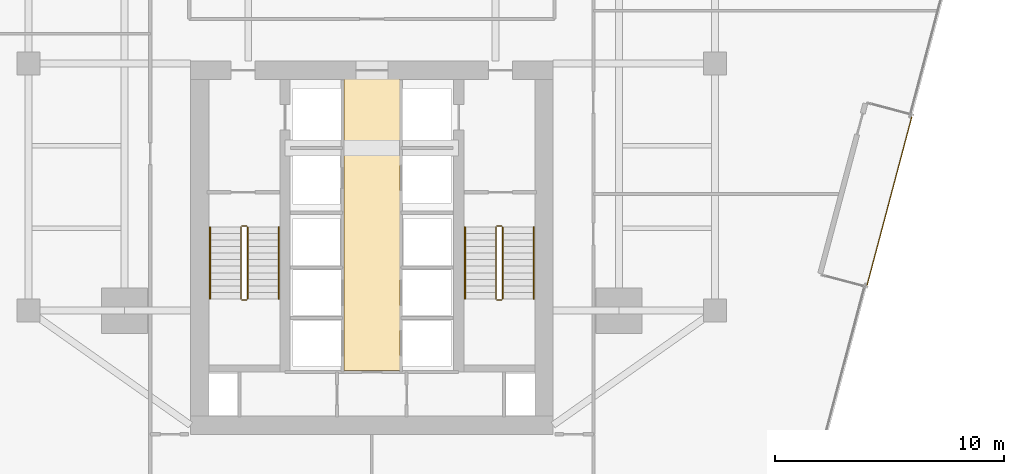
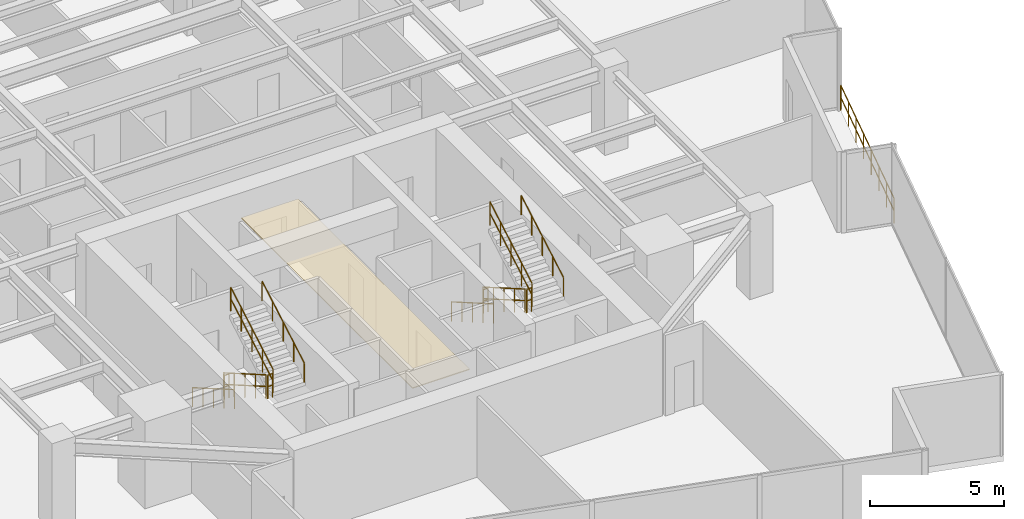
# One storey, part 26 of 27: 13 railings, 1 covering.
"""IFC4 building model written with IfcOpenShell, lengths in metres."""

import ifcopenshell
import ifcopenshell.guid

model = None  # the IFC model being written
_history = None  # IfcOwnerHistory: only IFC2X3 demands one
_inside = {}  # id of a spatial element -> (the spatial element, [elements in it])
_under = {}  # id of a project, library or spatial element -> (it, [spatial elements below it])
_declared = {}  # id of a project -> (the project, [libraries it declares])
_typed = {}  # id of a type object -> (the type object, [elements of that type])
_made_of = {}  # id of a material, layer set ... -> (it, [elements and type objects made of it])


def new_model(schema):
    """Start an empty IFC model of exactly this schema.

    Asked for "IFC4X3", IfcOpenShell would pick the latest addendum, in which some entities
    have other attributes; the version numbers below select the first issue.
    IFC2X3 requires an IfcOwnerHistory on every rooted entity: one is made here for all.
    """
    global model, _history
    if schema == "IFC4X3":
        model = ifcopenshell.file(schema_version=(4, 3, 0, 0))
    else:
        model = ifcopenshell.file(schema=schema)
    _inside.clear()
    _under.clear()
    _declared.clear()
    _typed.clear()
    _made_of.clear()
    _history = None
    if model.schema == "IFC2X3":
        org = make("IfcOrganization", Name="unknown")
        user = make(
            "IfcPersonAndOrganization",
            ThePerson=make("IfcPerson", FamilyName="unknown"),
            TheOrganization=org,
        )
        app = make(
            "IfcApplication",
            ApplicationDeveloper=org,
            Version="unknown",
            ApplicationFullName="unknown",
            ApplicationIdentifier="unknown",
        )
        _history = make(
            "IfcOwnerHistory",
            OwningUser=user,
            OwningApplication=app,
            ChangeAction="ADDED",
            CreationDate=0,
        )
    return model


def make(cls, **values):
    """One entity of the class cls with the attributes given. An attribute that is None is left unset."""
    return model.create_entity(
        cls, **{name: value for name, value in values.items() if value is not None}
    )


def rooted(cls, **values):
    """An entity with a GlobalId (a new one), such as an element, a storey or a relation."""
    return make(cls, GlobalId=ifcopenshell.guid.new(), OwnerHistory=_history, **values)


def si_unit(unit_type, name, prefix=None):
    """IfcSIUnit, for example si_unit("LENGTHUNIT", "METRE", prefix="MILLI")."""
    return make("IfcSIUnit", UnitType=unit_type, Prefix=prefix, Name=name)


def assignment(units):
    """IfcUnitAssignment: the units of a project."""
    return None if units is None else make("IfcUnitAssignment", Units=units)


def point(xyz):
    """IfcCartesianPoint."""
    return None if xyz is None else make("IfcCartesianPoint", Coordinates=xyz)


def direction(xyz):
    """IfcDirection."""
    return None if xyz is None else make("IfcDirection", DirectionRatios=xyz)


def frame(location, z_axis=None, x_axis=None):
    """IfcAxis2Placement3D, a coordinate frame: its origin and axes. An axis left out is left unset."""
    return make(
        "IfcAxis2Placement3D",
        Location=point(location),
        Axis=direction(z_axis),
        RefDirection=direction(x_axis),
    )


def frame_2d(location, x_axis=None):
    """IfcAxis2Placement2D, a coordinate frame in the plane: its origin and x axis."""
    return make(
        "IfcAxis2Placement2D", Location=point(location), RefDirection=direction(x_axis)
    )


def origin():
    """The frame at (0, 0, 0) with its axes left unset."""
    return frame((0.0, 0.0, 0.0))


def origin_2d():
    """The frame at (0, 0) in the plane with its x axis left unset."""
    return frame_2d((0.0, 0.0))


def place(relative_to, where):
    """IfcLocalPlacement: puts the frame where relative to a parent placement (None: the world)."""
    return make(
        "IfcLocalPlacement", PlacementRelTo=relative_to, RelativePlacement=where
    )


def context(
    kind, dimensions, precision=None, world=None, true_north=None, identifier=None
):
    """IfcGeometricRepresentationContext, for example the 3D "Model" context."""
    return make(
        "IfcGeometricRepresentationContext",
        ContextIdentifier=identifier,
        ContextType=kind,
        CoordinateSpaceDimension=dimensions,
        Precision=precision,
        WorldCoordinateSystem=world,
        TrueNorth=true_north,
    )


def subcontext(parent, identifier, kind, view, scale=None):
    """IfcGeometricRepresentationSubContext, for example "Body" below "Model"."""
    return make(
        "IfcGeometricRepresentationSubContext",
        ContextIdentifier=identifier,
        ContextType=kind,
        ParentContext=parent,
        TargetScale=scale,
        TargetView=view,
    )


def project(units=None, contexts=None):
    """IfcProject with its units and contexts."""
    return rooted(
        "IfcProject",
        Name="project",
        RepresentationContexts=contexts,
        UnitsInContext=assignment(units),
    )


def spatial(cls, under=None, at=None, **own):
    """A site, building, storey or space (cls), placed at a placement, below another one or the project."""
    s = rooted(cls, ObjectPlacement=at, **own)
    if under is not None:
        _under.setdefault(under.id(), (under, []))[1].append(s)
    return s


def polyline(points):
    """IfcPolyline through the points."""
    return make("IfcPolyline", Points=[point(p) for p in points])


def profile(cls, at=None, kind="AREA", **sizes):
    """A parametric profile (cls). Its sizes go by their IFC names, for example OverallWidth=200.0."""
    return make(cls, ProfileType=kind, Position=at, **sizes)


def circle(**sizes):
    """IfcCircleProfileDef."""
    return profile("IfcCircleProfileDef", **sizes)


def outline(outer, holes=None, kind="AREA"):
    """IfcArbitraryClosedProfileDef: a profile drawn as a closed curve; with holes, ...WithVoids."""
    if holes is None:
        return make("IfcArbitraryClosedProfileDef", ProfileType=kind, OuterCurve=outer)
    return make(
        "IfcArbitraryProfileDefWithVoids",
        ProfileType=kind,
        OuterCurve=outer,
        InnerCurves=holes,
    )


def extrude(swept, where, along, depth):
    """IfcExtrudedAreaSolid: the profile swept, set in the frame where, extruded along a direction by depth."""
    return make(
        "IfcExtrudedAreaSolid",
        SweptArea=swept,
        Position=where,
        ExtrudedDirection=direction(along),
        Depth=depth,
    )


def shape(context_of_items, identifier, shape_type, items):
    """IfcShapeRepresentation: the items that make up one representation, for example the "Body"."""
    return make(
        "IfcShapeRepresentation",
        ContextOfItems=context_of_items,
        RepresentationIdentifier=identifier,
        RepresentationType=shape_type,
        Items=items,
    )


def material(Name=None, Category=None):
    """IfcMaterial."""
    return make("IfcMaterial", Name=Name, Category=Category)


def layer(
    of_material, thickness, ventilated=None, Name=None, Category=None, Priority=None
):
    """IfcMaterialLayer: one layer of a wall or slab, of a material (None: an air gap)."""
    return make(
        "IfcMaterialLayer",
        Material=of_material,
        LayerThickness=thickness,
        IsVentilated=ventilated,
        Name=Name,
        Category=Category,
        Priority=Priority,
    )


def layer_set(layers, Name=None):
    """IfcMaterialLayerSet."""
    return make("IfcMaterialLayerSet", MaterialLayers=layers, LayerSetName=Name)


def made_of(thing, what):
    """Note that an element or type object is made of a material, layer set ...; save() writes the relation."""
    if what is not None:
        _made_of.setdefault(what.id(), (what, []))[1].append(thing)
    return thing


def type_object(cls, material=None, **own):
    """A type object (cls), such as IfcWallType, which elements share."""
    return made_of(rooted(cls, **own), material)


def element(
    cls,
    number,
    at=None,
    inside=None,
    cuts=None,
    type_object=None,
    material=None,
    context=None,
    identifier="Body",
    shape_type=None,
    held_by="IfcProductDefinitionShape",
    body=None,
    shapes=None,
    **own,
):
    """One element of the class cls, such as IfcWall. Its Tag is "e" and its number.

    at: its placement. inside: the storey or other place that contains it. cuts: it is an
    opening in that element (IfcRelVoidsElement). A single representation is given by context,
    identifier, shape_type and body (its items); several are given by shapes. held_by: the class
    of the entity that holds the representations. save() writes the other relations.
    """
    e = rooted(cls, Tag="e%d" % number, ObjectPlacement=at, **own)
    if body is not None:
        shapes = [shape(context, identifier, shape_type, body)]
    if shapes is not None:
        e.Representation = make(held_by, Representations=shapes)
    if inside is not None:
        _inside.setdefault(inside.id(), (inside, []))[1].append(e)
    if cuts is not None:
        rooted(
            "IfcRelVoidsElement", RelatingBuildingElement=cuts, RelatedOpeningElement=e
        )
    if type_object is not None:
        _typed.setdefault(type_object.id(), (type_object, []))[1].append(e)
    return made_of(e, material)


def aggregate(whole, parts):
    """IfcRelAggregates: a whole, such as a stair, and the parts it consists of."""
    return rooted("IfcRelAggregates", RelatingObject=whole, RelatedObjects=parts)


def save(model, path):
    """Write the relations noted so far, then the file.

    IfcRelAggregates (storeys below a building ...), IfcRelContainedInSpatialStructure (elements
    in a storey), IfcRelDefinesByType, IfcRelAssociatesMaterial and IfcRelDeclares: one each for
    every whole, place, type object, material and project.
    """
    for whole, parts in _under.values():
        aggregate(whole, parts)
    for where, things in _inside.values():
        rooted(
            "IfcRelContainedInSpatialStructure",
            RelatedElements=things,
            RelatingStructure=where,
        )
    for kind, things in _typed.values():
        rooted("IfcRelDefinesByType", RelatedObjects=things, RelatingType=kind)
    for what, things in _made_of.values():
        rooted("IfcRelAssociatesMaterial", RelatedObjects=things, RelatingMaterial=what)
    for by, libraries in _declared.values():
        rooted("IfcRelDeclares", RelatingContext=by, RelatedDefinitions=libraries)
    model.write(path)


model = new_model("IFC4")

# Units and contexts
model_context = context("Model", 3, precision=1e-05, world=origin(), true_north=direction((0.0, 1.0)))
body_context = subcontext(model_context, "Body", "Model", "MODEL_VIEW")
ifc_project = project(units=[si_unit("LENGTHUNIT", "METRE"), si_unit("AREAUNIT", "SQUARE_METRE"), si_unit("VOLUMEUNIT", "CUBIC_METRE"), si_unit("PLANEANGLEUNIT", "RADIAN"), si_unit("MASSUNIT", "GRAM", prefix="KILO")], contexts=[model_context])

# Site, building, storey
site_placement = place(None, origin())
site = spatial("IfcSite", under=ifc_project, at=site_placement, CompositionType="ELEMENT")
building_placement = place(site_placement, origin())
building = spatial("IfcBuilding", under=site, at=building_placement, Name="Krantzveldt Concourse Tower", CompositionType="ELEMENT")
storey_placement = place(building_placement, frame((0.0, 0.0, 105.85009765625)))
storey = spatial("IfcBuildingStorey", under=building, at=storey_placement, Name="L25", CompositionType="ELEMENT", Elevation=105.85009765625)

# Covering
ifc_material_1 = material(Name="Perforated acoustic mineral-fibre ceiling tile", Category="ceiling")
ifc_layer_1 = layer(ifc_material_1, 0.0400390625, Name="Perforated acoustic mineral-fibre ceiling tile", Category="ceiling")
ifc_layer_set_1 = layer_set([ifc_layer_1], Name="Perforated acoustic mineral-fibre ceiling tile (COV-CEIL-ACOUSTIC)")
covering_type = type_object("IfcCoveringType", Name="COV-CEIL-ACOUSTIC", PredefinedType="CEILING", material=ifc_layer_set_1)
covering_placement = place(storey_placement, frame((0.0, 0.0, 2.75)))
element("IfcCovering", 1, at=covering_placement, inside=storey, type_object=covering_type, Name="CLG-L25-LLB", PredefinedType="CEILING", context=body_context, shape_type="SweptSolid", body=[
    extrude(outline(polyline([(37.22509765625, 13.27490234375), (34.77490234375, 13.27490234375), (34.77490234375, 26.044921875), (37.22509765625, 26.044921875), (37.22509765625, 13.27490234375)])), origin(), (0.0, 0.0, 1.0), 0.039794921875),
])

# Railings
ifc_material_2 = material(Name="Stainless steel 316L", Category="steel")
ifc_layer_2 = layer(ifc_material_2, 0.080078125, Name="Stainless steel 316L", Category="steel")
ifc_layer_set_2 = layer_set([ifc_layer_2], Name="Stainless steel 316L (RL-BALUSTRADE-1150)")
railing_type_1 = type_object("IfcRailingType", Name="RL-BALUSTRADE-1150", PredefinedType="BALUSTRADE", material=ifc_layer_set_2)
railing_1_placement = place(storey_placement, frame((57.640380859375, 17.020263671875, 0.0)))
element("IfcRailing", 2, at=railing_1_placement, inside=storey, type_object=railing_type_1, Name="GD-L25-CTER-01", PredefinedType="BALUSTRADE", context=body_context, shape_type="SweptSolid", body=[
    extrude(circle(Radius=0.02392578125, at=origin_2d()), frame((0.0, 0.0, 1.1259765625), z_axis=(0.256696825247, 0.966491976122, 0.0), x_axis=(-0.966491976122, 0.256696825247, 0.0)), (0.0, 0.0, 1.0), 7.60009765625),
    extrude(circle(Radius=0.02392578125, at=origin_2d()), frame((0.0, 0.0, 0.574951171875), z_axis=(0.256696825247, 0.966491976122, 0.0), x_axis=(-0.966491976122, 0.256696825247, 0.0)), (0.0, 0.0, 1.0), 7.60009765625),
    extrude(circle(Radius=0.02099609375, at=origin_2d()), origin(), (0.0, 0.0, 1.0), 1.101806640625),
    extrude(circle(Radius=0.02099609375, at=origin_2d()), frame((0.27880859375, 1.04931640625, 0.0)), (0.0, 0.0, 1.0), 1.101806640625),
    extrude(circle(Radius=0.02099609375, at=origin_2d()), frame((0.557373046875, 2.0986328125, 0.0)), (0.0, 0.0, 1.0), 1.101806640625),
    extrude(circle(Radius=0.02099609375, at=origin_2d()), frame((0.836181640625, 3.14794921875, 0.0)), (0.0, 0.0, 1.0), 1.101806640625),
    extrude(circle(Radius=0.02099609375, at=origin_2d()), frame((1.11474609375, 4.197509765625, 0.0)), (0.0, 0.0, 1.0), 1.101806640625),
    extrude(circle(Radius=0.02099609375, at=origin_2d()), frame((1.3935546875, 5.246826171875, 0.0)), (0.0, 0.0, 1.0), 1.101806640625),
    extrude(circle(Radius=0.02099609375, at=origin_2d()), frame((1.672119140625, 6.296142578125, 0.0)), (0.0, 0.0, 1.0), 1.101806640625),
    extrude(circle(Radius=0.02099609375, at=origin_2d()), frame((1.950927734375, 7.345458984375, 0.0)), (0.0, 0.0, 1.0), 1.101806640625),
])
ifc_layer_3 = layer(ifc_material_2, 0.06005859375, Name="Stainless steel 316L", Category="steel")
ifc_layer_set_3 = layer_set([ifc_layer_3], Name="Stainless steel 316L (RL-GUARD-1120)")
railing_type_2 = type_object("IfcRailingType", Name="RL-GUARD-1120", PredefinedType="GUARDRAIL", material=ifc_layer_set_3)
railing_2_placement = place(storey_placement, frame((30.280029296875, 19.550048828125, 0.16455078125)))
element("IfcRailing", 3, at=railing_2_placement, inside=storey, type_object=railing_type_2, Name="L25 ST-1 stair guard 1", PredefinedType="GUARDRAIL", context=body_context, shape_type="SweptSolid", body=[
    extrude(circle(Radius=0.02392578125, at=origin_2d()), frame((0.0, 0.0, 1.076171875), z_axis=(0.0, -0.865989039225, 0.500062979975), x_axis=(1.0, 0.0, 0.0)), (0.0, 0.0, 1.0), 3.6201171875),
    extrude(circle(Radius=0.02392578125, at=origin_2d()), frame((0.0, 0.0, 0.550048828125), z_axis=(0.0, -0.865989039225, 0.500062979975), x_axis=(1.0, 0.0, 0.0)), (0.0, 0.0, 1.0), 3.6201171875),
    extrude(circle(Radius=0.02099609375, at=origin_2d()), origin(), (0.0, 0.0, 1.0), 1.052001953125),
    extrude(circle(Radius=0.02099609375, at=origin_2d()), frame((0.0, -0.78369140625, 0.45263671875)), (0.0, 0.0, 1.0), 1.052001953125),
    extrude(circle(Radius=0.02099609375, at=origin_2d()), frame((0.0, -1.5673828125, 0.9052734375)), (0.0, 0.0, 1.0), 1.052001953125),
    extrude(circle(Radius=0.02099609375, at=origin_2d()), frame((0.0, -2.351318359375, 1.357666015625)), (0.0, 0.0, 1.0), 1.052001953125),
    extrude(circle(Radius=0.02099609375, at=origin_2d()), frame((0.0, -3.135009765625, 1.810302734375)), (0.0, 0.0, 1.0), 1.052001953125),
])
railing_3_placement = place(storey_placement, frame((30.330078125, 16.364990234375, 1.974853515625)))
element("IfcRailing", 4, at=railing_3_placement, inside=storey, type_object=railing_type_2, Name="L25 ST-1 stair guard 2", PredefinedType="GUARDRAIL", context=body_context, shape_type="SweptSolid", body=[
    extrude(circle(Radius=0.02392578125, at=origin_2d()), frame((0.0, 0.0, 1.076171875), z_axis=(1.0, 0.0, 0.0), x_axis=(0.0, 1.0, 0.0)), (0.0, 0.0, 1.0), 0.199951171875),
    extrude(circle(Radius=0.02392578125, at=origin_2d()), frame((0.0, 0.0, 0.550048828125), z_axis=(1.0, 0.0, 0.0), x_axis=(0.0, 1.0, 0.0)), (0.0, 0.0, 1.0), 0.199951171875),
    extrude(circle(Radius=0.02099609375, at=origin_2d()), origin(), (0.0, 0.0, 1.0), 1.052001953125),
    extrude(circle(Radius=0.02099609375, at=origin_2d()), frame((0.199951171875, 0.0, 0.0)), (0.0, 0.0, 1.0), 1.052001953125),
])
railing_4_placement = place(storey_placement, frame((30.580078125, 16.4150390625, 2.139404296875)))
element("IfcRailing", 5, at=railing_4_placement, inside=storey, type_object=railing_type_2, Name="L25 ST-1 stair guard 3", PredefinedType="GUARDRAIL", context=body_context, shape_type="SweptSolid", body=[
    extrude(circle(Radius=0.02392578125, at=origin_2d()), frame((0.0, 0.0, 1.076171875), z_axis=(0.0, 0.865959834175, 0.500113552702), x_axis=(-1.0, 0.0, 0.0)), (0.0, 0.0, 1.0), 3.620361328125),
    extrude(circle(Radius=0.02392578125, at=origin_2d()), frame((0.0, 0.0, 0.550048828125), z_axis=(0.0, 0.865959834175, 0.500113552702), x_axis=(-1.0, 0.0, 0.0)), (0.0, 0.0, 1.0), 3.620361328125),
    extrude(circle(Radius=0.02099609375, at=origin_2d()), origin(), (0.0, 0.0, 1.0), 1.052001953125),
    extrude(circle(Radius=0.02099609375, at=origin_2d()), frame((0.0, 0.78369140625, 0.45263671875)), (0.0, 0.0, 1.0), 1.052001953125),
    extrude(circle(Radius=0.02099609375, at=origin_2d()), frame((0.0, 1.5673828125, 0.9052734375)), (0.0, 0.0, 1.0), 1.052001953125),
    extrude(circle(Radius=0.02099609375, at=origin_2d()), frame((0.0, 2.351318359375, 1.35791015625)), (0.0, 0.0, 1.0), 1.052001953125),
    extrude(circle(Radius=0.02099609375, at=origin_2d()), frame((0.0, 3.135009765625, 1.810546875)), (0.0, 0.0, 1.0), 1.052001953125),
])
railing_5_placement = place(storey_placement, frame((30.330078125, 19.60009765625, 0.0)))
element("IfcRailing", 6, at=railing_5_placement, inside=storey, type_object=railing_type_2, Name="L25 ST-1 stair guard 4", PredefinedType="GUARDRAIL", context=body_context, shape_type="SweptSolid", body=[
    extrude(circle(Radius=0.02392578125, at=origin_2d()), frame((0.0, 0.0, 1.076171875), z_axis=(1.0, 0.0, 0.0), x_axis=(0.0, 1.0, 0.0)), (0.0, 0.0, 1.0), 0.199951171875),
    extrude(circle(Radius=0.02392578125, at=origin_2d()), frame((0.0, 0.0, 0.550048828125), z_axis=(1.0, 0.0, 0.0), x_axis=(0.0, 1.0, 0.0)), (0.0, 0.0, 1.0), 0.199951171875),
    extrude(circle(Radius=0.02099609375, at=origin_2d()), origin(), (0.0, 0.0, 1.0), 1.052001953125),
    extrude(circle(Radius=0.02099609375, at=origin_2d()), frame((0.199951171875, 0.0, 0.0)), (0.0, 0.0, 1.0), 1.052001953125),
])
railing_6_placement = place(storey_placement, frame((41.419921875, 19.550048828125, 0.16455078125)))
element("IfcRailing", 7, at=railing_6_placement, inside=storey, type_object=railing_type_2, Name="L25 ST-2 stair guard 1", PredefinedType="GUARDRAIL", context=body_context, shape_type="SweptSolid", body=[
    extrude(circle(Radius=0.02392578125, at=origin_2d()), frame((0.0, 0.0, 1.076171875), z_axis=(0.0, -0.865989039225, 0.500062979975), x_axis=(1.0, 0.0, 0.0)), (0.0, 0.0, 1.0), 3.6201171875),
    extrude(circle(Radius=0.02392578125, at=origin_2d()), frame((0.0, 0.0, 0.550048828125), z_axis=(0.0, -0.865989039225, 0.500062979975), x_axis=(1.0, 0.0, 0.0)), (0.0, 0.0, 1.0), 3.6201171875),
    extrude(circle(Radius=0.02099609375, at=origin_2d()), origin(), (0.0, 0.0, 1.0), 1.052001953125),
    extrude(circle(Radius=0.02099609375, at=origin_2d()), frame((0.0, -0.78369140625, 0.45263671875)), (0.0, 0.0, 1.0), 1.052001953125),
    extrude(circle(Radius=0.02099609375, at=origin_2d()), frame((0.0, -1.5673828125, 0.9052734375)), (0.0, 0.0, 1.0), 1.052001953125),
    extrude(circle(Radius=0.02099609375, at=origin_2d()), frame((0.0, -2.351318359375, 1.357666015625)), (0.0, 0.0, 1.0), 1.052001953125),
    extrude(circle(Radius=0.02099609375, at=origin_2d()), frame((0.0, -3.135009765625, 1.810302734375)), (0.0, 0.0, 1.0), 1.052001953125),
])
railing_7_placement = place(storey_placement, frame((41.469970703125, 16.364990234375, 1.974853515625)))
element("IfcRailing", 8, at=railing_7_placement, inside=storey, type_object=railing_type_2, Name="L25 ST-2 stair guard 2", PredefinedType="GUARDRAIL", context=body_context, shape_type="SweptSolid", body=[
    extrude(circle(Radius=0.02392578125, at=origin_2d()), frame((0.0, 0.0, 1.076171875), z_axis=(1.0, 0.0, 0.0), x_axis=(0.0, 1.0, 0.0)), (0.0, 0.0, 1.0), 0.199951171875),
    extrude(circle(Radius=0.02392578125, at=origin_2d()), frame((0.0, 0.0, 0.550048828125), z_axis=(1.0, 0.0, 0.0), x_axis=(0.0, 1.0, 0.0)), (0.0, 0.0, 1.0), 0.199951171875),
    extrude(circle(Radius=0.02099609375, at=origin_2d()), origin(), (0.0, 0.0, 1.0), 1.052001953125),
    extrude(circle(Radius=0.02099609375, at=origin_2d()), frame((0.199951171875, 0.0, 0.0)), (0.0, 0.0, 1.0), 1.052001953125),
])
railing_8_placement = place(storey_placement, frame((41.719970703125, 16.4150390625, 2.139404296875)))
element("IfcRailing", 9, at=railing_8_placement, inside=storey, type_object=railing_type_2, Name="L25 ST-2 stair guard 3", PredefinedType="GUARDRAIL", context=body_context, shape_type="SweptSolid", body=[
    extrude(circle(Radius=0.02392578125, at=origin_2d()), frame((0.0, 0.0, 1.076171875), z_axis=(0.0, 0.865959834175, 0.500113552702), x_axis=(-1.0, 0.0, 0.0)), (0.0, 0.0, 1.0), 3.620361328125),
    extrude(circle(Radius=0.02392578125, at=origin_2d()), frame((0.0, 0.0, 0.550048828125), z_axis=(0.0, 0.865959834175, 0.500113552702), x_axis=(-1.0, 0.0, 0.0)), (0.0, 0.0, 1.0), 3.620361328125),
    extrude(circle(Radius=0.02099609375, at=origin_2d()), origin(), (0.0, 0.0, 1.0), 1.052001953125),
    extrude(circle(Radius=0.02099609375, at=origin_2d()), frame((0.0, 0.78369140625, 0.45263671875)), (0.0, 0.0, 1.0), 1.052001953125),
    extrude(circle(Radius=0.02099609375, at=origin_2d()), frame((0.0, 1.5673828125, 0.9052734375)), (0.0, 0.0, 1.0), 1.052001953125),
    extrude(circle(Radius=0.02099609375, at=origin_2d()), frame((0.0, 2.351318359375, 1.35791015625)), (0.0, 0.0, 1.0), 1.052001953125),
    extrude(circle(Radius=0.02099609375, at=origin_2d()), frame((0.0, 3.135009765625, 1.810546875)), (0.0, 0.0, 1.0), 1.052001953125),
])
railing_9_placement = place(storey_placement, frame((41.469970703125, 19.60009765625, 0.0)))
element("IfcRailing", 10, at=railing_9_placement, inside=storey, type_object=railing_type_2, Name="L25 ST-2 stair guard 4", PredefinedType="GUARDRAIL", context=body_context, shape_type="SweptSolid", body=[
    extrude(circle(Radius=0.02392578125, at=origin_2d()), frame((0.0, 0.0, 1.076171875), z_axis=(1.0, 0.0, 0.0), x_axis=(0.0, 1.0, 0.0)), (0.0, 0.0, 1.0), 0.199951171875),
    extrude(circle(Radius=0.02392578125, at=origin_2d()), frame((0.0, 0.0, 0.550048828125), z_axis=(1.0, 0.0, 0.0), x_axis=(0.0, 1.0, 0.0)), (0.0, 0.0, 1.0), 0.199951171875),
    extrude(circle(Radius=0.02099609375, at=origin_2d()), origin(), (0.0, 0.0, 1.0), 1.052001953125),
    extrude(circle(Radius=0.02099609375, at=origin_2d()), frame((0.199951171875, 0.0, 0.0)), (0.0, 0.0, 1.0), 1.052001953125),
])
ifc_layer_4 = layer(ifc_material_2, 0.050048828125, Name="Stainless steel 316L", Category="steel")
ifc_layer_set_4 = layer_set([ifc_layer_4], Name="Stainless steel 316L (RL-HANDRAIL-920)")
railing_type_3 = type_object("IfcRailingType", Name="RL-HANDRAIL-920", PredefinedType="HANDRAIL", material=ifc_layer_set_4)
railing_10_placement = place(storey_placement, frame((28.929931640625, 19.550048828125, 0.16455078125)))
element("IfcRailing", 11, at=railing_10_placement, inside=storey, type_object=railing_type_3, Name="L25 ST-1 stair handrail 1", PredefinedType="HANDRAIL", context=body_context, shape_type="SweptSolid", body=[
    extrude(circle(Radius=0.02392578125, at=origin_2d()), frame((0.0, 0.0, 0.8759765625), z_axis=(0.0, -0.865989039225, 0.500062979975), x_axis=(1.0, 0.0, 0.0)), (0.0, 0.0, 1.0), 3.6201171875),
    extrude(circle(Radius=0.02099609375, at=origin_2d()), origin(), (0.0, 0.0, 1.0), 0.851806640625),
    extrude(circle(Radius=0.02099609375, at=origin_2d()), frame((0.0, -0.78369140625, 0.45263671875)), (0.0, 0.0, 1.0), 0.851806640625),
    extrude(circle(Radius=0.02099609375, at=origin_2d()), frame((0.0, -1.5673828125, 0.9052734375)), (0.0, 0.0, 1.0), 0.851806640625),
    extrude(circle(Radius=0.02099609375, at=origin_2d()), frame((0.0, -2.351318359375, 1.357666015625)), (0.0, 0.0, 1.0), 0.851806640625),
    extrude(circle(Radius=0.02099609375, at=origin_2d()), frame((0.0, -3.135009765625, 1.810302734375)), (0.0, 0.0, 1.0), 0.851806640625),
])
railing_11_placement = place(storey_placement, frame((31.929931640625, 16.4150390625, 2.139404296875)))
element("IfcRailing", 12, at=railing_11_placement, inside=storey, type_object=railing_type_3, Name="L25 ST-1 stair handrail 2", PredefinedType="HANDRAIL", context=body_context, shape_type="SweptSolid", body=[
    extrude(circle(Radius=0.02392578125, at=origin_2d()), frame((0.0, 0.0, 0.8759765625), z_axis=(0.0, 0.865959834175, 0.500113552702), x_axis=(-1.0, 0.0, 0.0)), (0.0, 0.0, 1.0), 3.620361328125),
    extrude(circle(Radius=0.02099609375, at=origin_2d()), origin(), (0.0, 0.0, 1.0), 0.851806640625),
    extrude(circle(Radius=0.02099609375, at=origin_2d()), frame((0.0, 0.78369140625, 0.45263671875)), (0.0, 0.0, 1.0), 0.851806640625),
    extrude(circle(Radius=0.02099609375, at=origin_2d()), frame((0.0, 1.5673828125, 0.9052734375)), (0.0, 0.0, 1.0), 0.851806640625),
    extrude(circle(Radius=0.02099609375, at=origin_2d()), frame((0.0, 2.351318359375, 1.35791015625)), (0.0, 0.0, 1.0), 0.851806640625),
    extrude(circle(Radius=0.02099609375, at=origin_2d()), frame((0.0, 3.135009765625, 1.810546875)), (0.0, 0.0, 1.0), 0.851806640625),
])
railing_12_placement = place(storey_placement, frame((40.070068359375, 19.550048828125, 0.16455078125)))
element("IfcRailing", 13, at=railing_12_placement, inside=storey, type_object=railing_type_3, Name="L25 ST-2 stair handrail 1", PredefinedType="HANDRAIL", context=body_context, shape_type="SweptSolid", body=[
    extrude(circle(Radius=0.02392578125, at=origin_2d()), frame((0.0, 0.0, 0.8759765625), z_axis=(0.0, -0.865989039225, 0.500062979975), x_axis=(1.0, 0.0, 0.0)), (0.0, 0.0, 1.0), 3.6201171875),
    extrude(circle(Radius=0.02099609375, at=origin_2d()), origin(), (0.0, 0.0, 1.0), 0.851806640625),
    extrude(circle(Radius=0.02099609375, at=origin_2d()), frame((0.0, -0.78369140625, 0.45263671875)), (0.0, 0.0, 1.0), 0.851806640625),
    extrude(circle(Radius=0.02099609375, at=origin_2d()), frame((0.0, -1.5673828125, 0.9052734375)), (0.0, 0.0, 1.0), 0.851806640625),
    extrude(circle(Radius=0.02099609375, at=origin_2d()), frame((0.0, -2.351318359375, 1.357666015625)), (0.0, 0.0, 1.0), 0.851806640625),
    extrude(circle(Radius=0.02099609375, at=origin_2d()), frame((0.0, -3.135009765625, 1.810302734375)), (0.0, 0.0, 1.0), 0.851806640625),
])
railing_13_placement = place(storey_placement, frame((43.070068359375, 16.4150390625, 2.139404296875)))
element("IfcRailing", 14, at=railing_13_placement, inside=storey, type_object=railing_type_3, Name="L25 ST-2 stair handrail 2", PredefinedType="HANDRAIL", context=body_context, shape_type="SweptSolid", body=[
    extrude(circle(Radius=0.02392578125, at=origin_2d()), frame((0.0, 0.0, 0.8759765625), z_axis=(0.0, 0.865959834175, 0.500113552702), x_axis=(-1.0, 0.0, 0.0)), (0.0, 0.0, 1.0), 3.620361328125),
    extrude(circle(Radius=0.02099609375, at=origin_2d()), origin(), (0.0, 0.0, 1.0), 0.851806640625),
    extrude(circle(Radius=0.02099609375, at=origin_2d()), frame((0.0, 0.78369140625, 0.45263671875)), (0.0, 0.0, 1.0), 0.851806640625),
    extrude(circle(Radius=0.02099609375, at=origin_2d()), frame((0.0, 1.5673828125, 0.9052734375)), (0.0, 0.0, 1.0), 0.851806640625),
    extrude(circle(Radius=0.02099609375, at=origin_2d()), frame((0.0, 2.351318359375, 1.35791015625)), (0.0, 0.0, 1.0), 0.851806640625),
    extrude(circle(Radius=0.02099609375, at=origin_2d()), frame((0.0, 3.135009765625, 1.810546875)), (0.0, 0.0, 1.0), 0.851806640625),
])

save(model, "model.ifc")
